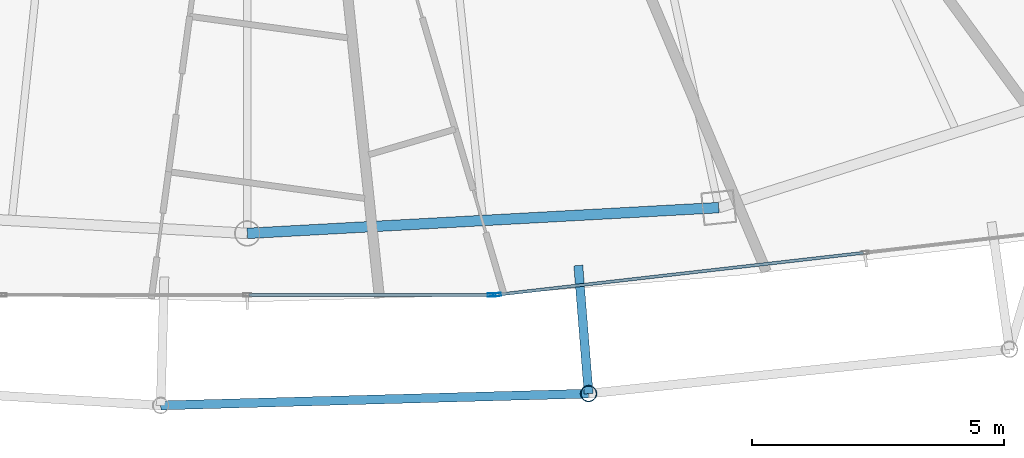
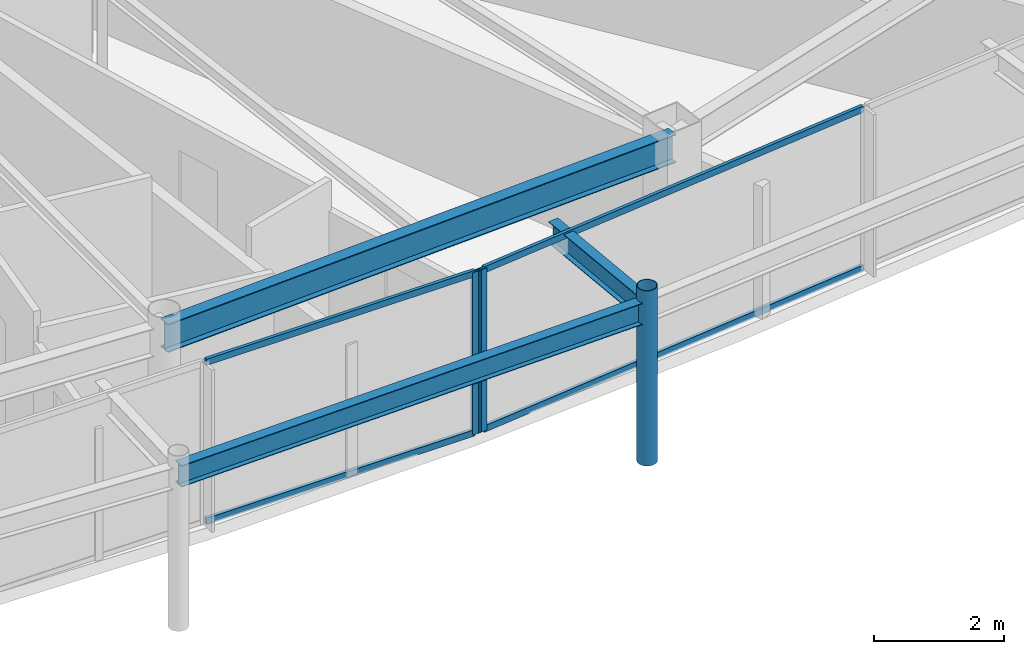
# One storey, part 8 of 28: 7 members, 3 beams, 2 elements without a shape of their own.
"""IFC4 building model written with IfcOpenShell, lengths in metres."""

from ifc_helpers import new_model, si_unit, direction, frame, origin, origin_2d, place, context, subcontext, project, spatial, hollow_rectangle, hollow_circle, i_section, extrude, material, layer, layer_set, material_profile, profile_set, type_object, element, aggregate, save


model = new_model("IFC4")

# Units and contexts
model_context = context("Model", 3, precision=1e-05, world=origin(), true_north=direction((0.0, 1.0)))
body_context = subcontext(model_context, "Body", "Model", "MODEL_VIEW")
ifc_project = project(units=[si_unit("LENGTHUNIT", "METRE"), si_unit("AREAUNIT", "SQUARE_METRE"), si_unit("VOLUMEUNIT", "CUBIC_METRE"), si_unit("PLANEANGLEUNIT", "RADIAN"), si_unit("MASSUNIT", "GRAM", prefix="KILO")], contexts=[model_context])

# Site, building, storey
site_placement = place(None, origin())
site = spatial("IfcSite", under=ifc_project, at=site_placement, CompositionType="ELEMENT")
building_placement = place(site_placement, origin())
building = spatial("IfcBuilding", under=site, at=building_placement, Name="Orvanel Arch Residences", CompositionType="ELEMENT")
storey_placement = place(building_placement, frame((0.0, 0.0, 263.449951171875)))
storey = spatial("IfcBuildingStorey", under=building, at=storey_placement, Name="L75", CompositionType="ELEMENT", Elevation=263.449951171875)

# Curtain wall, member
ifc_material_1 = material(Name="Bronze-anodised aluminium AA6063-T6", Category="aluminium")
ifc_layer = layer(ifc_material_1, 0.175048828125)
ifc_layer_set = layer_set([ifc_layer], Name="Bronze-anodised aluminium AA6063-T6")
curtain_wall_type = type_object("IfcCurtainWallType", Name="CW4-HI-SYS", PredefinedType="NOTDEFINED", material=ifc_layer_set)
curtain_wall_1_placement = place(storey_placement, origin())
curtain_wall_1 = element("IfcCurtainWall", 1, at=curtain_wall_1_placement, inside=storey, type_object=curtain_wall_type, Name="L75 CW4-HI-SYS Unitised Curtain Wall", PredefinedType="NOTDEFINED")
ifc_material_profile_1 = material_profile(ifc_material_1, hollow_rectangle(XDim=0.06494140625, YDim=0.159912109375, WallThickness=0.00390625, at=origin_2d()), Name="ALU160x65x4")
ifc_profile_set_1 = profile_set([ifc_material_profile_1], Name="Bronze-anodised aluminium AA6063-T6")
member_type_1 = type_object("IfcMemberType", Name="MUL-160x65", PredefinedType="MULLION", material=ifc_profile_set_1)
member_1_placement = place(storey_placement, frame((37.848388671875, 5.6220703125, 0.0), z_axis=(0.0, 0.0, 1.0), x_axis=(0.0, 1.0, 0.0)))
member_1 = element("IfcMember", 2, at=member_1_placement, type_object=member_type_1, Name="CW-S4 mullion 3", PredefinedType="MULLION", context=body_context, shape_type="SweptSolid", body=[
    extrude(hollow_rectangle(XDim=0.06494140625, YDim=0.159912109375, WallThickness=0.00390625, at=origin_2d()), origin(), (0.0, 0.0, 1.0), 3.06005859375),
])

curtain_wall_2_placement = place(storey_placement, origin())
curtain_wall_2 = element("IfcCurtainWall", 3, at=curtain_wall_2_placement, inside=storey, type_object=curtain_wall_type, Name="L75 CW4-HI-SYS Unitised Curtain Wall", PredefinedType="NOTDEFINED")
member_2_placement = place(storey_placement, frame((37.953369140625, 5.627685546875, 0.0), z_axis=(0.0, 0.0, 1.0), x_axis=(-0.113510277415, 0.993536822126, 0.0)))
member_2 = element("IfcMember", 4, at=member_2_placement, type_object=member_type_1, Name="CW-S4 mullion 1", PredefinedType="MULLION", context=body_context, shape_type="SweptSolid", body=[
    extrude(hollow_rectangle(XDim=0.06494140625, YDim=0.159912109375, WallThickness=0.00390625, at=origin_2d()), origin(), (0.0, 0.0, 1.0), 3.06005859375),
])

# Beams
ifc_material_2 = material(Name="Structural steel AS/NZS 3679.1 Grade 300 (300 MPa)", Category="steel")
ifc_material_profile_2 = material_profile(ifc_material_2, i_section(OverallWidth=0.177978515625, OverallDepth=0.406005859375, WebThickness=0.0078125, FlangeThickness=0.0126953125, at=origin_2d()), Name="410UB59.7")
ifc_profile_set_2 = profile_set([ifc_material_profile_2], Name="Structural steel AS/NZS 3679.1 Grade 300 (300 MPa)")
beam_type_1 = type_object("IfcBeamType", Name="OB-410UB-EXT", PredefinedType="SPANDREL", material=ifc_profile_set_2)
beam_1_placement = place(storey_placement, frame((31.281005859375, 3.430908203125, 2.85693359375), z_axis=(0.999619963496, 0.027566802156, 0.0), x_axis=(-0.027566802156, 0.999619963496, 0.0)))
element("IfcBeam", 5, at=beam_1_placement, inside=storey, type_object=beam_type_1, Name="L75 Outer Perimeter Floor Ring Beam 06", PredefinedType="SPANDREL", context=body_context, shape_type="SweptSolid", body=[
    extrude(i_section(OverallWidth=0.177978515625, OverallDepth=0.406005859375, WebThickness=0.0078125, FlangeThickness=0.0126953125, at=origin_2d()), origin(), (0.0, 0.0, 1.0), 8.4931640625),
])
beam_2_placement = place(storey_placement, frame((39.56591796875, 6.20703125, 2.85693359375), z_axis=(0.080414871626, -0.996761480205, 0.0), x_axis=(0.996761480205, 0.080414871626, 0.0)))
element("IfcBeam", 6, at=beam_2_placement, inside=storey, type_object=beam_type_1, Name="L75 Outer Frame Radial Tie Beam 07", PredefinedType="SPANDREL", context=body_context, shape_type="SweptSolid", body=[
    extrude(i_section(OverallWidth=0.177978515625, OverallDepth=0.406005859375, WebThickness=0.0078125, FlangeThickness=0.0126953125, at=origin_2d()), origin(), (0.0, 0.0, 1.0), 2.55029296875),
])
ifc_material_profile_3 = material_profile(ifc_material_2, i_section(OverallWidth=0.208984375, OverallDepth=0.532958984375, WebThickness=0.01025390625, FlangeThickness=0.015625, at=origin_2d()), Name="530UB92.4")
ifc_profile_set_3 = profile_set([ifc_material_profile_3], Name="Structural steel AS/NZS 3679.1 Grade 300 (300 MPa)")
beam_type_2 = type_object("IfcBeamType", Name="SP-530UB", PredefinedType="SPANDREL", material=ifc_profile_set_3)
beam_3_placement = place(storey_placement, frame((33.0, 6.843994140625, 2.79296875), z_axis=(0.998510315598, 0.054563262768, 0.0), x_axis=(-0.054563262768, 0.998510315598, 0.0)))
element("IfcBeam", 7, at=beam_3_placement, inside=storey, type_object=beam_type_2, Name="L75 Perimeter Spandrel Beam 04", PredefinedType="SPANDREL", context=body_context, shape_type="SweptSolid", body=[
    extrude(i_section(OverallWidth=0.208984375, OverallDepth=0.532958984375, WebThickness=0.01025390625, FlangeThickness=0.015625, at=origin_2d()), origin(), (0.0, 0.0, 1.0), 9.364990234375),
])

# Member
ifc_material_3 = material(Name="Structural steel AS/NZS 1163 C350L0 (Grade 350)", Category="steel")
ifc_material_profile_4 = material_profile(ifc_material_3, hollow_circle(Radius=0.162109375, WallThickness=0.0126953125, at=origin_2d()), Name="CHS324x12.7")
ifc_profile_set_4 = profile_set([ifc_material_profile_4], Name="Structural steel AS/NZS 1163 C350L0 (Grade 350)")
member_type_2 = type_object("IfcMemberType", Name="ST-324CHS-EXT", PredefinedType="STRUT", material=ifc_profile_set_4)
member_3_placement = place(storey_placement, frame((39.77099609375, 3.6650390625, 0.0), z_axis=(0.0, 0.0, 1.0), x_axis=(1.0, 0.0, 0.0)))
element("IfcMember", 8, at=member_3_placement, inside=storey, type_object=member_type_2, Name="L75 Outer Perimeter Frame Post 07", PredefinedType="STRUT", context=body_context, shape_type="SweptSolid", body=[
    extrude(hollow_circle(Radius=0.162109375, WallThickness=0.0126953125, at=origin_2d()), origin(), (0.0, 0.0, 1.0), 3.300048828125),
])

ifc_material_profile_5 = material_profile(ifc_material_1, hollow_rectangle(XDim=0.06005859375, YDim=0.1201171875, WallThickness=0.00341796875, at=origin_2d()), Name="ALU120x60x3.5")
ifc_profile_set_5 = profile_set([ifc_material_profile_5], Name="Bronze-anodised aluminium AA6063-T6")
member_type_3 = type_object("IfcMemberType", Name="TRN-120x60", PredefinedType="USERDEFINED", material=ifc_profile_set_5)
member_4_placement = place(storey_placement, frame((33.032470703125, 5.6220703125, 0.030029296875), z_axis=(1.0, 0.0, 0.0), x_axis=(0.0, 1.0, 0.0)))
member_4 = element("IfcMember", 9, at=member_4_placement, type_object=member_type_3, Name="CW-S4 transom 2.1", ObjectType="TRANSOM", PredefinedType="USERDEFINED", context=body_context, shape_type="SweptSolid", body=[
    extrude(hollow_rectangle(XDim=0.06005859375, YDim=0.1201171875, WallThickness=0.00341796875, at=origin_2d()), origin(), (0.0, 0.0, 1.0), 4.783447265625),
])

member_5_placement = place(storey_placement, frame((33.032470703125, 5.6220703125, 3.030029296875), z_axis=(1.0, 0.0, 0.0), x_axis=(0.0, 1.0, 0.0)))
member_5 = element("IfcMember", 10, at=member_5_placement, type_object=member_type_3, Name="CW-S4 transom 2.2", ObjectType="TRANSOM", PredefinedType="USERDEFINED", context=body_context, shape_type="SweptSolid", body=[
    extrude(hollow_rectangle(XDim=0.06005859375, YDim=0.1201171875, WallThickness=0.00341796875, at=origin_2d()), origin(), (0.0, 0.0, 1.0), 4.783447265625),
])

aggregate(curtain_wall_1, [member_1, member_4, member_5])

member_6_placement = place(storey_placement, frame((37.985595703125, 5.63134765625, 0.030029296875), z_axis=(0.993537103282, 0.113507816484, 0.0), x_axis=(-0.113507816484, 0.993537103282, 0.0)))
member_6 = element("IfcMember", 11, at=member_6_placement, type_object=member_type_3, Name="CW-S4 transom 1.1", ObjectType="TRANSOM", PredefinedType="USERDEFINED", context=body_context, shape_type="SweptSolid", body=[
    extrude(hollow_rectangle(XDim=0.06005859375, YDim=0.1201171875, WallThickness=0.00341796875, at=origin_2d()), origin(), (0.0, 0.0, 1.0), 7.28076171875),
])

member_7_placement = place(storey_placement, frame((37.985595703125, 5.63134765625, 3.030029296875), z_axis=(0.993537103282, 0.113507816484, 0.0), x_axis=(-0.113507816484, 0.993537103282, 0.0)))
member_7 = element("IfcMember", 12, at=member_7_placement, type_object=member_type_3, Name="CW-S4 transom 1.2", ObjectType="TRANSOM", PredefinedType="USERDEFINED", context=body_context, shape_type="SweptSolid", body=[
    extrude(hollow_rectangle(XDim=0.06005859375, YDim=0.1201171875, WallThickness=0.00341796875, at=origin_2d()), origin(), (0.0, 0.0, 1.0), 7.28076171875),
])

aggregate(curtain_wall_2, [member_2, member_6, member_7])

save(model, "model.ifc")
